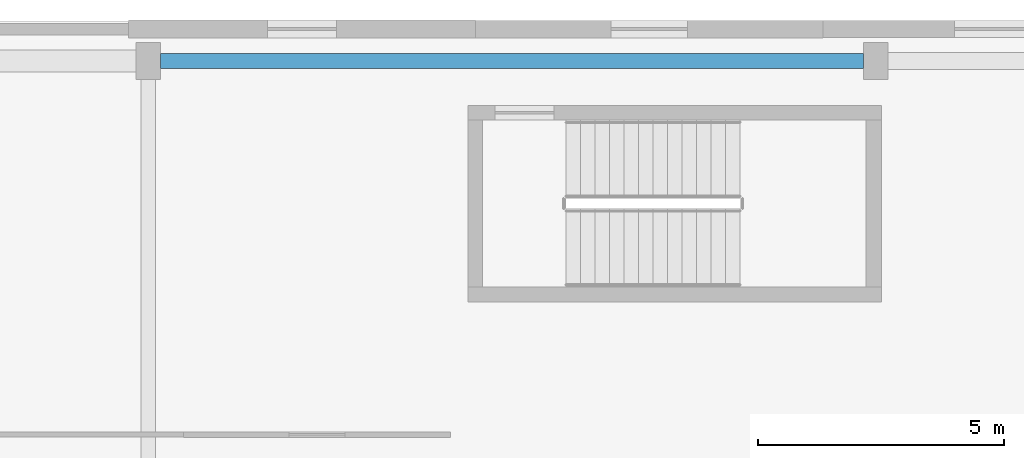
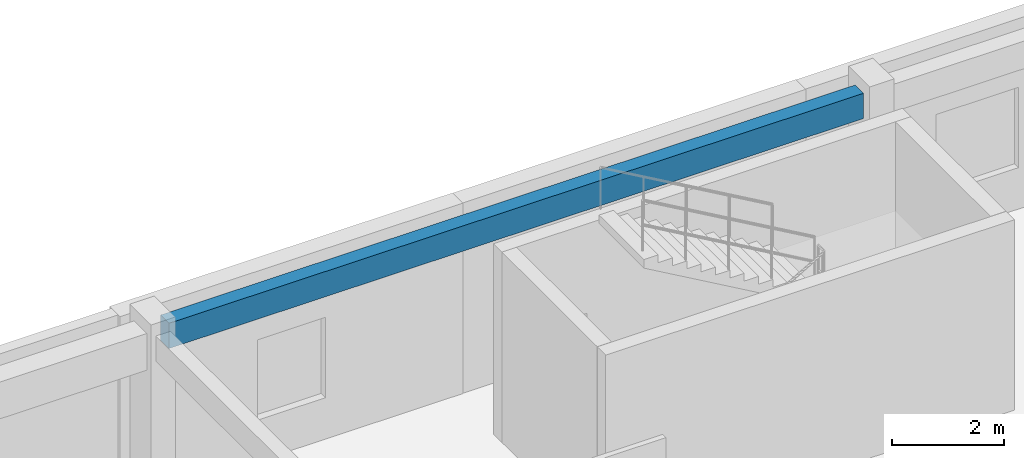
# One storey, part 97 of 142: 1 beam.
"""IFC4 building model written with IfcOpenShell, lengths in metres."""

import ifcopenshell
import ifcopenshell.guid

model = None  # the IFC model being written
_history = None  # IfcOwnerHistory: only IFC2X3 demands one
_inside = {}  # id of a spatial element -> (the spatial element, [elements in it])
_under = {}  # id of a project, library or spatial element -> (it, [spatial elements below it])
_declared = {}  # id of a project -> (the project, [libraries it declares])
_typed = {}  # id of a type object -> (the type object, [elements of that type])
_made_of = {}  # id of a material, layer set ... -> (it, [elements and type objects made of it])


def new_model(schema):
    """Start an empty IFC model of exactly this schema.

    Asked for "IFC4X3", IfcOpenShell would pick the latest addendum, in which some entities
    have other attributes; the version numbers below select the first issue.
    IFC2X3 requires an IfcOwnerHistory on every rooted entity: one is made here for all.
    """
    global model, _history
    if schema == "IFC4X3":
        model = ifcopenshell.file(schema_version=(4, 3, 0, 0))
    else:
        model = ifcopenshell.file(schema=schema)
    _inside.clear()
    _under.clear()
    _declared.clear()
    _typed.clear()
    _made_of.clear()
    _history = None
    if model.schema == "IFC2X3":
        org = make("IfcOrganization", Name="unknown")
        user = make(
            "IfcPersonAndOrganization",
            ThePerson=make("IfcPerson", FamilyName="unknown"),
            TheOrganization=org,
        )
        app = make(
            "IfcApplication",
            ApplicationDeveloper=org,
            Version="unknown",
            ApplicationFullName="unknown",
            ApplicationIdentifier="unknown",
        )
        _history = make(
            "IfcOwnerHistory",
            OwningUser=user,
            OwningApplication=app,
            ChangeAction="ADDED",
            CreationDate=0,
        )
    return model


def make(cls, **values):
    """One entity of the class cls with the attributes given. An attribute that is None is left unset."""
    return model.create_entity(
        cls, **{name: value for name, value in values.items() if value is not None}
    )


def rooted(cls, **values):
    """An entity with a GlobalId (a new one), such as an element, a storey or a relation."""
    return make(cls, GlobalId=ifcopenshell.guid.new(), OwnerHistory=_history, **values)


def si_unit(unit_type, name, prefix=None):
    """IfcSIUnit, for example si_unit("LENGTHUNIT", "METRE", prefix="MILLI")."""
    return make("IfcSIUnit", UnitType=unit_type, Prefix=prefix, Name=name)


def assignment(units):
    """IfcUnitAssignment: the units of a project."""
    return None if units is None else make("IfcUnitAssignment", Units=units)


def point(xyz):
    """IfcCartesianPoint."""
    return None if xyz is None else make("IfcCartesianPoint", Coordinates=xyz)


def direction(xyz):
    """IfcDirection."""
    return None if xyz is None else make("IfcDirection", DirectionRatios=xyz)


def frame(location, z_axis=None, x_axis=None):
    """IfcAxis2Placement3D, a coordinate frame: its origin and axes. An axis left out is left unset."""
    return make(
        "IfcAxis2Placement3D",
        Location=point(location),
        Axis=direction(z_axis),
        RefDirection=direction(x_axis),
    )


def frame_2d(location, x_axis=None):
    """IfcAxis2Placement2D, a coordinate frame in the plane: its origin and x axis."""
    return make(
        "IfcAxis2Placement2D", Location=point(location), RefDirection=direction(x_axis)
    )


def origin():
    """The frame at (0, 0, 0) with its axes left unset."""
    return frame((0.0, 0.0, 0.0))


def origin_2d():
    """The frame at (0, 0) in the plane with its x axis left unset."""
    return frame_2d((0.0, 0.0))


def place(relative_to, where):
    """IfcLocalPlacement: puts the frame where relative to a parent placement (None: the world)."""
    return make(
        "IfcLocalPlacement", PlacementRelTo=relative_to, RelativePlacement=where
    )


def context(
    kind, dimensions, precision=None, world=None, true_north=None, identifier=None
):
    """IfcGeometricRepresentationContext, for example the 3D "Model" context."""
    return make(
        "IfcGeometricRepresentationContext",
        ContextIdentifier=identifier,
        ContextType=kind,
        CoordinateSpaceDimension=dimensions,
        Precision=precision,
        WorldCoordinateSystem=world,
        TrueNorth=true_north,
    )


def subcontext(parent, identifier, kind, view, scale=None):
    """IfcGeometricRepresentationSubContext, for example "Body" below "Model"."""
    return make(
        "IfcGeometricRepresentationSubContext",
        ContextIdentifier=identifier,
        ContextType=kind,
        ParentContext=parent,
        TargetScale=scale,
        TargetView=view,
    )


def project(units=None, contexts=None):
    """IfcProject with its units and contexts."""
    return rooted(
        "IfcProject",
        Name="project",
        RepresentationContexts=contexts,
        UnitsInContext=assignment(units),
    )


def spatial(cls, under=None, at=None, **own):
    """A site, building, storey or space (cls), placed at a placement, below another one or the project."""
    s = rooted(cls, ObjectPlacement=at, **own)
    if under is not None:
        _under.setdefault(under.id(), (under, []))[1].append(s)
    return s


def profile(cls, at=None, kind="AREA", **sizes):
    """A parametric profile (cls). Its sizes go by their IFC names, for example OverallWidth=200.0."""
    return make(cls, ProfileType=kind, Position=at, **sizes)


def rectangle(**sizes):
    """IfcRectangleProfileDef."""
    return profile("IfcRectangleProfileDef", **sizes)


def extrude(swept, where, along, depth):
    """IfcExtrudedAreaSolid: the profile swept, set in the frame where, extruded along a direction by depth."""
    return make(
        "IfcExtrudedAreaSolid",
        SweptArea=swept,
        Position=where,
        ExtrudedDirection=direction(along),
        Depth=depth,
    )


def shape(context_of_items, identifier, shape_type, items):
    """IfcShapeRepresentation: the items that make up one representation, for example the "Body"."""
    return make(
        "IfcShapeRepresentation",
        ContextOfItems=context_of_items,
        RepresentationIdentifier=identifier,
        RepresentationType=shape_type,
        Items=items,
    )


def material(Name=None, Category=None):
    """IfcMaterial."""
    return make("IfcMaterial", Name=Name, Category=Category)


def material_profile(
    of_material, cross_section, Name=None, Category=None, Priority=None
):
    """IfcMaterialProfile: a cross section and its material."""
    return make(
        "IfcMaterialProfile",
        Name=Name,
        Material=of_material,
        Profile=cross_section,
        Priority=Priority,
        Category=Category,
    )


def profile_set(profiles, Name=None, composite=None):
    """IfcMaterialProfileSet."""
    return make(
        "IfcMaterialProfileSet",
        Name=Name,
        MaterialProfiles=profiles,
        CompositeProfile=composite,
    )


def made_of(thing, what):
    """Note that an element or type object is made of a material, layer set ...; save() writes the relation."""
    if what is not None:
        _made_of.setdefault(what.id(), (what, []))[1].append(thing)
    return thing


def type_object(cls, material=None, **own):
    """A type object (cls), such as IfcWallType, which elements share."""
    return made_of(rooted(cls, **own), material)


def element(
    cls,
    number,
    at=None,
    inside=None,
    cuts=None,
    type_object=None,
    material=None,
    context=None,
    identifier="Body",
    shape_type=None,
    held_by="IfcProductDefinitionShape",
    body=None,
    shapes=None,
    **own,
):
    """One element of the class cls, such as IfcWall. Its Tag is "e" and its number.

    at: its placement. inside: the storey or other place that contains it. cuts: it is an
    opening in that element (IfcRelVoidsElement). A single representation is given by context,
    identifier, shape_type and body (its items); several are given by shapes. held_by: the class
    of the entity that holds the representations. save() writes the other relations.
    """
    e = rooted(cls, Tag="e%d" % number, ObjectPlacement=at, **own)
    if body is not None:
        shapes = [shape(context, identifier, shape_type, body)]
    if shapes is not None:
        e.Representation = make(held_by, Representations=shapes)
    if inside is not None:
        _inside.setdefault(inside.id(), (inside, []))[1].append(e)
    if cuts is not None:
        rooted(
            "IfcRelVoidsElement", RelatingBuildingElement=cuts, RelatedOpeningElement=e
        )
    if type_object is not None:
        _typed.setdefault(type_object.id(), (type_object, []))[1].append(e)
    return made_of(e, material)


def aggregate(whole, parts):
    """IfcRelAggregates: a whole, such as a stair, and the parts it consists of."""
    return rooted("IfcRelAggregates", RelatingObject=whole, RelatedObjects=parts)


def save(model, path):
    """Write the relations noted so far, then the file.

    IfcRelAggregates (storeys below a building ...), IfcRelContainedInSpatialStructure (elements
    in a storey), IfcRelDefinesByType, IfcRelAssociatesMaterial and IfcRelDeclares: one each for
    every whole, place, type object, material and project.
    """
    for whole, parts in _under.values():
        aggregate(whole, parts)
    for where, things in _inside.values():
        rooted(
            "IfcRelContainedInSpatialStructure",
            RelatedElements=things,
            RelatingStructure=where,
        )
    for kind, things in _typed.values():
        rooted("IfcRelDefinesByType", RelatedObjects=things, RelatingType=kind)
    for what, things in _made_of.values():
        rooted("IfcRelAssociatesMaterial", RelatedObjects=things, RelatingMaterial=what)
    for by, libraries in _declared.values():
        rooted("IfcRelDeclares", RelatingContext=by, RelatedDefinitions=libraries)
    model.write(path)


model = new_model("IFC4")

# Units and contexts
model_context = context("Model", 3, precision=1e-05, world=origin(), true_north=direction((0.0, 1.0)))
body_context = subcontext(model_context, "Body", "Model", "MODEL_VIEW")
ifc_project = project(units=[si_unit("LENGTHUNIT", "METRE"), si_unit("AREAUNIT", "SQUARE_METRE"), si_unit("VOLUMEUNIT", "CUBIC_METRE"), si_unit("PLANEANGLEUNIT", "RADIAN"), si_unit("MASSUNIT", "GRAM", prefix="KILO")], contexts=[model_context])

# Site, building, storey
site_placement = place(None, origin())
site = spatial("IfcSite", under=ifc_project, at=site_placement, CompositionType="ELEMENT")
building_placement = place(site_placement, origin())
building = spatial("IfcBuilding", under=site, at=building_placement, Name="Valcora Specialist Clinic", CompositionType="ELEMENT")
storey_placement = place(building_placement, frame((0.0, 0.0, 5.10009765625)))
storey = spatial("IfcBuildingStorey", under=building, at=storey_placement, Name="L01", CompositionType="ELEMENT", Elevation=5.10009765625)

# Beam
ifc_material = material(Name="Concrete C40/50", Category="concrete")
ifc_material_profile = material_profile(ifc_material, rectangle(XDim=0.300048828125, YDim=0.550048828125, at=origin_2d()), Name="RC-BM-300X550")
ifc_profile_set = profile_set([ifc_material_profile], Name="Concrete C40/50")
beam_type = type_object("IfcBeamType", Name="TY-BM-RC300X550", PredefinedType="BEAM", material=ifc_profile_set)
beam_placement = place(storey_placement, frame((111.449951171875, 110.0, 3.869873046875), z_axis=(1.0, 0.0, 0.0), x_axis=(0.0, 1.0, 0.0)))
element("IfcBeam", 1, at=beam_placement, inside=storey, type_object=beam_type, Name="Beam BM-L01-0655", PredefinedType="BEAM", context=body_context, shape_type="SweptSolid", body=[
    extrude(rectangle(XDim=0.300048828125, YDim=0.550048828125, at=origin_2d()), origin(), (0.0, 0.0, 1.0), 14.300048828125),
])

save(model, "model.ifc")
